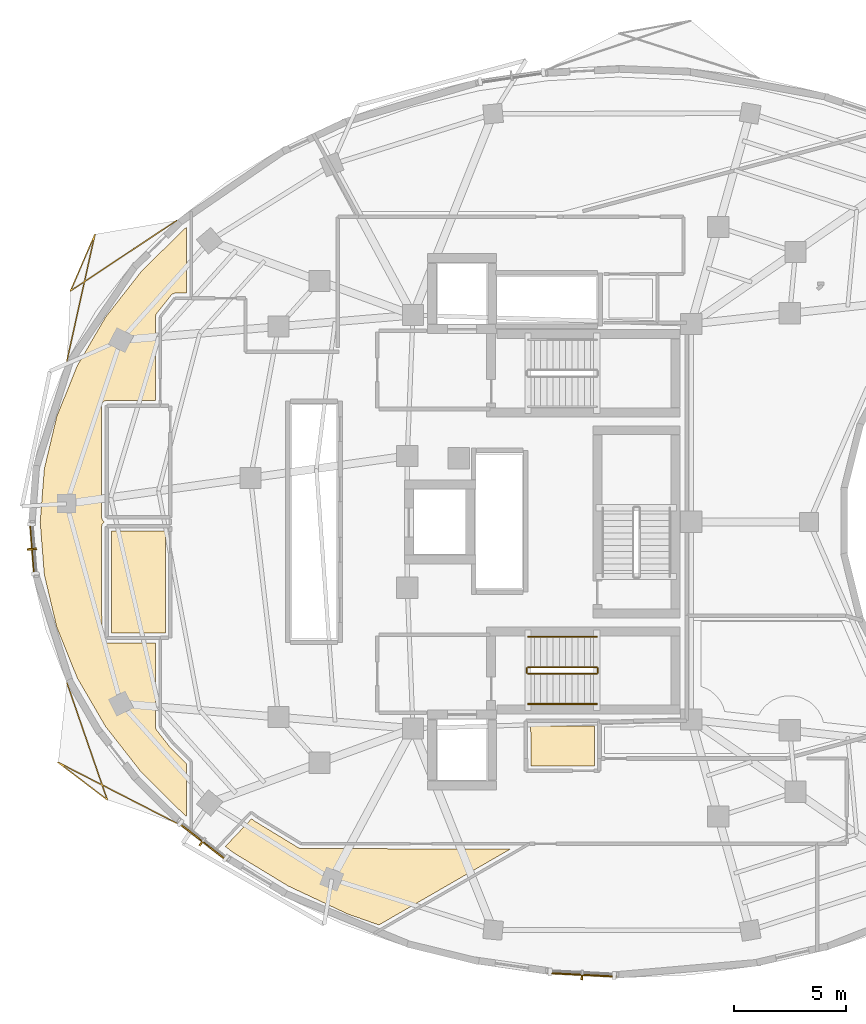
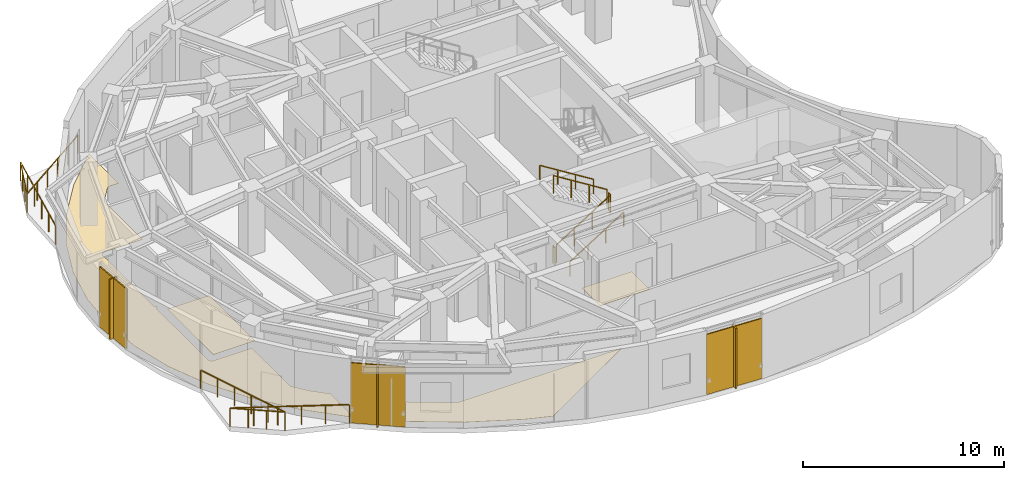
# One storey, part 11 of 13: 8 railings, 6 shading devices, 4 coverings.
"""IFC4 building model written with IfcOpenShell, lengths in metres."""

from ifc_helpers import new_model, si_unit, direction, frame, origin, origin_2d, place, context, subcontext, project, spatial, polyline, rectangle, outline, extrude, material, layer, layer_set, type_object, element, save


model = new_model("IFC4")

# Units and contexts
model_context = context("Model", 3, precision=1e-05, world=origin(), true_north=direction((0.0, 1.0)))
body_context = subcontext(model_context, "Body", "Model", "MODEL_VIEW")
ifc_project = project(units=[si_unit("LENGTHUNIT", "METRE"), si_unit("AREAUNIT", "SQUARE_METRE"), si_unit("VOLUMEUNIT", "CUBIC_METRE"), si_unit("PLANEANGLEUNIT", "RADIAN"), si_unit("MASSUNIT", "GRAM", prefix="KILO")], contexts=[model_context])

# Site, building, storey
site_placement = place(None, origin())
site = spatial("IfcSite", under=ifc_project, at=site_placement, CompositionType="ELEMENT")
building_placement = place(site_placement, origin())
building = spatial("IfcBuilding", under=site, at=building_placement, Name="Korentha Bioscience Tower", CompositionType="ELEMENT")
storey_placement = place(building_placement, frame((0.0, 0.0, 268.800048828125)))
storey = spatial("IfcBuildingStorey", under=building, at=storey_placement, Name="L62", CompositionType="ELEMENT", Elevation=268.800048828125)

# Railings
ifc_material_1 = material(Name="Stainless Steel 304", Category="steel")
railing_type_1 = type_object("IfcRailingType", Name="Brushed Stainless Stair Handrail 900", PredefinedType="HANDRAIL", material=ifc_material_1)
railing_1_placement = place(storey_placement, frame((30.25, 18.85009765625, 0.175048828125)))
element("IfcRailing", 1, at=railing_1_placement, inside=storey, type_object=railing_type_1, Name="L62 ST-2 stair handrail 1", PredefinedType="HANDRAIL", context=body_context, shape_type="SweptSolid", body=[
    extrude(rectangle(XDim=0.048095703125, YDim=0.048095703125, at=origin_2d()), frame((0.0, 0.0, 0.8759765625), z_axis=(0.848028513186, 0.0, 0.529950602248), x_axis=(0.0, 1.0, 0.0)), (0.0, 0.0, 1.0), 3.632080078125),
    extrude(rectangle(XDim=0.0419921875, YDim=0.0419921875, at=origin_2d()), origin(), (0.0, 0.0, 1.0), 0.851806640625),
    extrude(rectangle(XDim=0.0419921875, YDim=0.0419921875, at=origin_2d()), frame((1.026611328125, 0.0, 0.6416015625)), (0.0, 0.0, 1.0), 0.851806640625),
    extrude(rectangle(XDim=0.0419921875, YDim=0.0419921875, at=origin_2d()), frame((2.053466796875, 0.0, 1.283203125)), (0.0, 0.0, 1.0), 0.851806640625),
    extrude(rectangle(XDim=0.0419921875, YDim=0.0419921875, at=origin_2d()), frame((3.080078125, 0.0, 1.9248046875)), (0.0, 0.0, 1.0), 0.851806640625),
])
railing_2_placement = place(storey_placement, frame((33.330078125, 21.85009765625, 2.27490234375)))
element("IfcRailing", 2, at=railing_2_placement, inside=storey, type_object=railing_type_1, Name="L62 ST-2 stair handrail 2", PredefinedType="HANDRAIL", context=body_context, shape_type="SweptSolid", body=[
    extrude(rectangle(XDim=0.048095703125, YDim=0.048095703125, at=origin_2d()), frame((0.0, 0.0, 0.8759765625), z_axis=(-0.847998304005, 0.0, 0.529998940003), x_axis=(0.0, -1.0, 0.0)), (0.0, 0.0, 1.0), 3.632080078125),
    extrude(rectangle(XDim=0.0419921875, YDim=0.0419921875, at=origin_2d()), origin(), (0.0, 0.0, 1.0), 0.851806640625),
    extrude(rectangle(XDim=0.0419921875, YDim=0.0419921875, at=origin_2d()), frame((-1.026611328125, 0.0, 0.6416015625)), (0.0, 0.0, 1.0), 0.851806640625),
    extrude(rectangle(XDim=0.0419921875, YDim=0.0419921875, at=origin_2d()), frame((-2.053466796875, 0.0, 1.283447265625)), (0.0, 0.0, 1.0), 0.851806640625),
    extrude(rectangle(XDim=0.0419921875, YDim=0.0419921875, at=origin_2d()), frame((-3.080078125, 0.0, 1.925048828125)), (0.0, 0.0, 1.0), 0.851806640625),
])
ifc_material_2 = material(Name="Laminated Tempered Safety Glass", Category="glass")
railing_type_2 = type_object("IfcRailingType", Name="Laminated Glass Balcony Guardrail 1150", PredefinedType="BALUSTRADE", material=ifc_material_2)
railing_3_placement = place(storey_placement, frame((14.52392578125, 40.482177734375, 0.0)))
element("IfcRailing", 3, at=railing_3_placement, inside=storey, type_object=railing_type_2, Name="L62 Balcony Guardrail 02", PredefinedType="BALUSTRADE", context=body_context, shape_type="SweptSolid", body=[
    extrude(rectangle(XDim=0.048095703125, YDim=0.048095703125, at=origin_2d()), frame((0.0, 0.0, 1.1259765625), z_axis=(-0.833512004837, -0.552501346417, 0.0), x_axis=(0.552501346417, -0.833512004837, 0.0)), (0.0, 0.0, 1.0), 5.693115234375),
    extrude(rectangle(XDim=0.048095703125, YDim=0.048095703125, at=origin_2d()), frame((-4.745361328125, -3.1455078125, 1.1259765625), z_axis=(0.395734132194, 0.918365121625, 0.0), x_axis=(-0.918365121625, 0.395734132194, 0.0)), (0.0, 0.0, 1.0), 2.759033203125),
    extrude(rectangle(XDim=0.048095703125, YDim=0.048095703125, at=origin_2d()), frame((-3.653564453125, -0.61181640625, 1.1259765625), z_axis=(-0.215883424558, -0.976419145143, 0.0), x_axis=(0.976419145143, -0.215883424558, 0.0)), (0.0, 0.0, 1.0), 5.802490234375),
    extrude(rectangle(XDim=0.0419921875, YDim=0.0419921875, at=origin_2d()), origin(), (0.0, 0.0, 1.0), 1.101806640625),
    extrude(rectangle(XDim=0.0419921875, YDim=0.0419921875, at=origin_2d()), frame((-0.948974609375, -0.629150390625, 0.0)), (0.0, 0.0, 1.0), 1.101806640625),
    extrude(rectangle(XDim=0.0419921875, YDim=0.0419921875, at=origin_2d()), frame((-1.898193359375, -1.25830078125, 0.0)), (0.0, 0.0, 1.0), 1.101806640625),
    extrude(rectangle(XDim=0.0419921875, YDim=0.0419921875, at=origin_2d()), frame((-2.84716796875, -1.88720703125, 0.0)), (0.0, 0.0, 1.0), 1.101806640625),
    extrude(rectangle(XDim=0.0419921875, YDim=0.0419921875, at=origin_2d()), frame((-3.79638671875, -2.516357421875, 0.0)), (0.0, 0.0, 1.0), 1.101806640625),
    extrude(rectangle(XDim=0.0419921875, YDim=0.0419921875, at=origin_2d()), frame((-4.745361328125, -3.1455078125, 0.0)), (0.0, 0.0, 1.0), 1.101806640625),
    extrude(rectangle(XDim=0.0419921875, YDim=0.0419921875, at=origin_2d()), frame((-4.38134765625, -2.301025390625, 0.0)), (0.0, 0.0, 1.0), 1.101806640625),
    extrude(rectangle(XDim=0.0419921875, YDim=0.0419921875, at=origin_2d()), frame((-4.017578125, -1.456298828125, 0.0)), (0.0, 0.0, 1.0), 1.101806640625),
    extrude(rectangle(XDim=0.0419921875, YDim=0.0419921875, at=origin_2d()), frame((-3.653564453125, -0.61181640625, 0.0)), (0.0, 0.0, 1.0), 1.101806640625),
    extrude(rectangle(XDim=0.0419921875, YDim=0.0419921875, at=origin_2d()), frame((-3.904052734375, -1.744873046875, 0.0)), (0.0, 0.0, 1.0), 1.101806640625),
    extrude(rectangle(XDim=0.0419921875, YDim=0.0419921875, at=origin_2d()), frame((-4.154541015625, -2.878173828125, 0.0)), (0.0, 0.0, 1.0), 1.101806640625),
    extrude(rectangle(XDim=0.0419921875, YDim=0.0419921875, at=origin_2d()), frame((-4.4052734375, -4.01123046875, 0.0)), (0.0, 0.0, 1.0), 1.101806640625),
    extrude(rectangle(XDim=0.0419921875, YDim=0.0419921875, at=origin_2d()), frame((-4.65576171875, -5.14453125, 0.0)), (0.0, 0.0, 1.0), 1.101806640625),
    extrude(rectangle(XDim=0.0419921875, YDim=0.0419921875, at=origin_2d()), frame((-4.90625, -6.277587890625, 0.0)), (0.0, 0.0, 1.0), 1.101806640625),
])
railing_4_placement = place(storey_placement, frame((9.61767578125, 19.79541015625, 0.0)))
element("IfcRailing", 4, at=railing_4_placement, inside=storey, type_object=railing_type_2, Name="L62 Balcony Guardrail 03", PredefinedType="BALUSTRADE", context=body_context, shape_type="SweptSolid", body=[
    extrude(rectangle(XDim=0.048095703125, YDim=0.048095703125, at=origin_2d()), frame((0.0, 0.0, 1.1259765625), z_axis=(0.325854789781, -0.945419830539, 0.0), x_axis=(0.945419830539, 0.325854789781, 0.0)), (0.0, 0.0, 1.0), 5.536865234375),
    extrude(rectangle(XDim=0.048095703125, YDim=0.048095703125, at=origin_2d()), frame((1.80419921875, -5.234619140625, 1.1259765625), z_axis=(-0.79553937013, 0.605901898474, 0.0), x_axis=(-0.605901898474, -0.79553937013, 0.0)), (0.0, 0.0, 1.0), 2.759033203125),
    extrude(rectangle(XDim=0.048095703125, YDim=0.048095703125, at=origin_2d()), frame((-0.390625, -3.56298828125, 1.1259765625), z_axis=(0.889936580333, -0.456084293728, 0.0), x_axis=(0.456084293728, 0.889936580333, 0.0)), (0.0, 0.0, 1.0), 5.951904296875),
    extrude(rectangle(XDim=0.0419921875, YDim=0.0419921875, at=origin_2d()), origin(), (0.0, 0.0, 1.0), 1.101806640625),
    extrude(rectangle(XDim=0.0419921875, YDim=0.0419921875, at=origin_2d()), frame((0.36083984375, -1.046875, 0.0)), (0.0, 0.0, 1.0), 1.101806640625),
    extrude(rectangle(XDim=0.0419921875, YDim=0.0419921875, at=origin_2d()), frame((0.7216796875, -2.09375, 0.0)), (0.0, 0.0, 1.0), 1.101806640625),
    extrude(rectangle(XDim=0.0419921875, YDim=0.0419921875, at=origin_2d()), frame((1.08251953125, -3.140869140625, 0.0)), (0.0, 0.0, 1.0), 1.101806640625),
    extrude(rectangle(XDim=0.0419921875, YDim=0.0419921875, at=origin_2d()), frame((1.443359375, -4.187744140625, 0.0)), (0.0, 0.0, 1.0), 1.101806640625),
    extrude(rectangle(XDim=0.0419921875, YDim=0.0419921875, at=origin_2d()), frame((1.80419921875, -5.234619140625, 0.0)), (0.0, 0.0, 1.0), 1.101806640625),
    extrude(rectangle(XDim=0.0419921875, YDim=0.0419921875, at=origin_2d()), frame((1.072509765625, -4.677490234375, 0.0)), (0.0, 0.0, 1.0), 1.101806640625),
    extrude(rectangle(XDim=0.0419921875, YDim=0.0419921875, at=origin_2d()), frame((0.341064453125, -4.1201171875, 0.0)), (0.0, 0.0, 1.0), 1.101806640625),
    extrude(rectangle(XDim=0.0419921875, YDim=0.0419921875, at=origin_2d()), frame((-0.390625, -3.56298828125, 0.0)), (0.0, 0.0, 1.0), 1.101806640625),
    extrude(rectangle(XDim=0.0419921875, YDim=0.0419921875, at=origin_2d()), frame((0.668701171875, -4.10595703125, 0.0)), (0.0, 0.0, 1.0), 1.101806640625),
    extrude(rectangle(XDim=0.0419921875, YDim=0.0419921875, at=origin_2d()), frame((1.72802734375, -4.64892578125, 0.0)), (0.0, 0.0, 1.0), 1.101806640625),
    extrude(rectangle(XDim=0.0419921875, YDim=0.0419921875, at=origin_2d()), frame((2.78759765625, -5.191650390625, 0.0)), (0.0, 0.0, 1.0), 1.101806640625),
    extrude(rectangle(XDim=0.0419921875, YDim=0.0419921875, at=origin_2d()), frame((3.846923828125, -5.734619140625, 0.0)), (0.0, 0.0, 1.0), 1.101806640625),
    extrude(rectangle(XDim=0.0419921875, YDim=0.0419921875, at=origin_2d()), frame((4.90625, -6.277587890625, 0.0)), (0.0, 0.0, 1.0), 1.101806640625),
])
ifc_material_3 = material(Name="Painted Steel S275", Category="steel")
railing_type_3 = type_object("IfcRailingType", Name="Painted Steel Stair Well Guardrail 1100", PredefinedType="GUARDRAIL", material=ifc_material_3)
railing_5_placement = place(storey_placement, frame((30.25, 20.199951171875, 0.175048828125)))
element("IfcRailing", 5, at=railing_5_placement, inside=storey, type_object=railing_type_3, Name="L62 ST-2 stair guard 1", PredefinedType="GUARDRAIL", context=body_context, shape_type="SweptSolid", body=[
    extrude(rectangle(XDim=0.048095703125, YDim=0.048095703125, at=origin_2d()), frame((0.0, 0.0, 1.076171875), z_axis=(0.848028513186, 0.0, 0.529950602248), x_axis=(0.0, 1.0, 0.0)), (0.0, 0.0, 1.0), 3.632080078125),
    extrude(rectangle(XDim=0.0419921875, YDim=0.0419921875, at=origin_2d()), origin(), (0.0, 0.0, 1.0), 1.052001953125),
    extrude(rectangle(XDim=0.0419921875, YDim=0.0419921875, at=origin_2d()), frame((1.026611328125, 0.0, 0.6416015625)), (0.0, 0.0, 1.0), 1.052001953125),
    extrude(rectangle(XDim=0.0419921875, YDim=0.0419921875, at=origin_2d()), frame((2.053466796875, 0.0, 1.283203125)), (0.0, 0.0, 1.0), 1.052001953125),
    extrude(rectangle(XDim=0.0419921875, YDim=0.0419921875, at=origin_2d()), frame((3.080078125, 0.0, 1.9248046875)), (0.0, 0.0, 1.0), 1.052001953125),
])
railing_6_placement = place(storey_placement, frame((33.3798828125, 20.25, 2.099853515625)))
element("IfcRailing", 6, at=railing_6_placement, inside=storey, type_object=railing_type_3, Name="L62 ST-2 stair guard 2", PredefinedType="GUARDRAIL", context=body_context, shape_type="SweptSolid", body=[
    extrude(rectangle(XDim=0.048095703125, YDim=0.048095703125, at=origin_2d()), frame((0.0, 0.0, 1.076171875), z_axis=(0.0, 1.0, 0.0), x_axis=(-1.0, 0.0, 0.0)), (0.0, 0.0, 1.0), 0.199951171875),
    extrude(rectangle(XDim=0.0419921875, YDim=0.0419921875, at=origin_2d()), origin(), (0.0, 0.0, 1.0), 1.052001953125),
    extrude(rectangle(XDim=0.0419921875, YDim=0.0419921875, at=origin_2d()), frame((0.0, 0.199951171875, 0.0)), (0.0, 0.0, 1.0), 1.052001953125),
])
railing_7_placement = place(storey_placement, frame((33.330078125, 20.5, 2.27490234375)))
element("IfcRailing", 7, at=railing_7_placement, inside=storey, type_object=railing_type_3, Name="L62 ST-2 stair guard 3", PredefinedType="GUARDRAIL", context=body_context, shape_type="SweptSolid", body=[
    extrude(rectangle(XDim=0.048095703125, YDim=0.048095703125, at=origin_2d()), frame((0.0, 0.0, 1.076171875), z_axis=(-0.847998304005, 0.0, 0.529998940003), x_axis=(0.0, -1.0, 0.0)), (0.0, 0.0, 1.0), 3.632080078125),
    extrude(rectangle(XDim=0.0419921875, YDim=0.0419921875, at=origin_2d()), origin(), (0.0, 0.0, 1.0), 1.052001953125),
    extrude(rectangle(XDim=0.0419921875, YDim=0.0419921875, at=origin_2d()), frame((-1.026611328125, 0.0, 0.6416015625)), (0.0, 0.0, 1.0), 1.052001953125),
    extrude(rectangle(XDim=0.0419921875, YDim=0.0419921875, at=origin_2d()), frame((-2.053466796875, 0.0, 1.283447265625)), (0.0, 0.0, 1.0), 1.052001953125),
    extrude(rectangle(XDim=0.0419921875, YDim=0.0419921875, at=origin_2d()), frame((-3.080078125, 0.0, 1.925048828125)), (0.0, 0.0, 1.0), 1.052001953125),
])
railing_8_placement = place(storey_placement, frame((30.199951171875, 20.25, 0.0)))
element("IfcRailing", 8, at=railing_8_placement, inside=storey, type_object=railing_type_3, Name="L62 ST-2 stair guard 4", PredefinedType="GUARDRAIL", context=body_context, shape_type="SweptSolid", body=[
    extrude(rectangle(XDim=0.048095703125, YDim=0.048095703125, at=origin_2d()), frame((0.0, 0.0, 1.076171875), z_axis=(0.0, 1.0, 0.0), x_axis=(-1.0, 0.0, 0.0)), (0.0, 0.0, 1.0), 0.199951171875),
    extrude(rectangle(XDim=0.0419921875, YDim=0.0419921875, at=origin_2d()), origin(), (0.0, 0.0, 1.0), 1.052001953125),
    extrude(rectangle(XDim=0.0419921875, YDim=0.0419921875, at=origin_2d()), frame((0.0, 0.199951171875, 0.0)), (0.0, 0.0, 1.0), 1.052001953125),
])

# Shading devices
ifc_material_4 = material(Name="Perforated Stone-Ceramic Composite", Category="masonry")
ifc_layer_1 = layer(ifc_material_4, 0.06494140625, Name="Perforated Stone-Ceramic Composite")
ifc_layer_set_1 = layer_set([ifc_layer_1], Name="Perforated Stone-Ceramic Composite (CS-01)")
shading_device_type_1 = type_object("IfcShadingDeviceType", Name="Perforated Stone-Ceramic Solar Screen Panel 65", PredefinedType="USERDEFINED", material=ifc_layer_set_1)
shading_device_1_placement = place(storey_placement, frame((8.064697265625, 25.780517578125, 0.0), z_axis=(0.0, 0.0, 1.0), x_axis=(0.078035250492, -0.996950600421, 0.0)))
element("IfcShadingDevice", 9, at=shading_device_1_placement, inside=storey, type_object=shading_device_type_1, Name="CW-L62-19 Perforated Stone-Ceramic Solar Screen", ObjectType="SCREEN", PredefinedType="USERDEFINED", context=body_context, shape_type="SweptSolid", body=[
    extrude(rectangle(XDim=2.35595703125, YDim=0.06494140625, at=origin_2d()), origin(), (0.0, 0.0, 1.0), 3.64990234375),
])
shading_device_2_placement = place(storey_placement, frame((15.684326171875, 12.694580078125, 0.0), z_axis=(0.0, 0.0, 1.0), x_axis=(0.790487520139, -0.612478146961, 0.0)))
element("IfcShadingDevice", 10, at=shading_device_2_placement, inside=storey, type_object=shading_device_type_1, Name="CW-L62-25 Perforated Stone-Ceramic Solar Screen", ObjectType="SCREEN", PredefinedType="USERDEFINED", context=body_context, shape_type="SweptSolid", body=[
    extrude(rectangle(XDim=2.742919921875, YDim=0.06494140625, at=origin_2d()), origin(), (0.0, 0.0, 1.0), 3.64990234375),
])
shading_device_3_placement = place(storey_placement, frame((32.66748046875, 6.729736328125, 0.0), z_axis=(0.0, 0.0, 1.0), x_axis=(0.998636113937, -0.052210266622, 0.0)))
element("IfcShadingDevice", 11, at=shading_device_3_placement, inside=storey, type_object=shading_device_type_1, Name="CW-L62-31 Perforated Stone-Ceramic Solar Screen", ObjectType="SCREEN", PredefinedType="USERDEFINED", context=body_context, shape_type="SweptSolid", body=[
    extrude(rectangle(XDim=3.087646484375, YDim=0.06494140625, at=origin_2d()), origin(), (0.0, 0.0, 1.0), 3.64990234375),
])

# Coverings
ifc_material_5 = material(Name="Chemical-Resistant Epoxy Resin", Category="polymer")
ifc_layer_2 = layer(ifc_material_5, 0.011962890625, Name="Chemical-Resistant Epoxy Resin")
ifc_layer_set_2 = layer_set([ifc_layer_2], Name="Chemical-Resistant Epoxy Resin (FL-EPX)")
covering_type = type_object("IfcCoveringType", Name="Seamless Epoxy Laboratory Flooring 12", PredefinedType="FLOORING", material=ifc_layer_set_2)
covering_1_placement = place(storey_placement, origin())
element("IfcCovering", 12, at=covering_1_placement, inside=storey, type_object=covering_type, Name="L62 Core Instrumentation and Gas Store Floor Finish", PredefinedType="FLOORING", context=body_context, shape_type="SweptSolid", body=[
    extrude(outline(polyline([(33.22998046875, 17.8701171875), (33.219970703125, 16.080078125), (30.3798828125, 16.080078125), (30.371337890625, 17.8701171875), (33.22998046875, 17.8701171875)])), origin(), (0.0, 0.0, 1.0), 0.011962890625),
])
covering_2_placement = place(storey_placement, origin())
element("IfcCovering", 13, at=covering_2_placement, inside=storey, type_object=covering_type, Name="L62 Reclaimed Bank-1 Cold Freezer Alcove Floor Finish", PredefinedType="FLOORING", context=body_context, shape_type="SweptSolid", body=[
    extrude(outline(polyline([(14.02001953125, 22.030029296875), (11.6201171875, 22.02099609375), (11.6201171875, 26.580078125), (14.02001953125, 26.580078125), (14.02001953125, 22.030029296875)])), origin(), (0.0, 0.0, 1.0), 0.011962890625),
])
covering_3_placement = place(storey_placement, origin())
element("IfcCovering", 14, at=covering_3_placement, inside=storey, type_object=covering_type, Name="L62 Research Colloquium Seminar Room 01 Floor Finish", PredefinedType="FLOORING", context=body_context, shape_type="SweptSolid", body=[
    extrude(outline(polyline([(18.015625, 13.608154296875), (19.99462890625, 12.403564453125), (20.083251953125, 12.3720703125), (29.4814453125, 12.3701171875), (23.57666015625, 8.9609375), (22.189697265625, 9.447998046875), (19.515625, 10.705078125), (17.060791015625, 12.197509765625), (16.70556640625, 12.47265625), (17.88037109375, 13.712890625), (18.015625, 13.608154296875)])), origin(), (0.0, 0.0, 1.0), 0.011962890625),
])
covering_4_placement = place(storey_placement, origin())
element("IfcCovering", 15, at=covering_4_placement, inside=storey, type_object=covering_type, Name="L62 Biostatistics Research Office 07 Floor Finish", PredefinedType="FLOORING", context=body_context, shape_type="SweptSolid", body=[
    extrude(outline(polyline([(8.606201171875, 29.369140625), (9.160400390625, 31.70654296875), (10.076904296875, 33.9794921875), (11.34423828125, 36.15673828125), (12.946044921875, 38.206298828125), (14.860595703125, 40.097900390625), (14.96435546875, 40.17822265625), (14.96435546875, 37.22998046875), (14.440673828125, 37.229736328125), (14.31298828125, 37.1826171875), (13.618896484375, 36.306396484375), (13.572509765625, 36.197998046875), (13.570068359375, 32.429931640625), (11.38818359375, 32.4296875), (11.302001953125, 32.408203125), (11.22998046875, 32.354736328125), (11.18359375, 32.27783203125), (11.169921875, 32.199951171875), (11.169921875, 27.199951171875), (11.202392578125, 27.082275390625), (11.286865234375, 27.0), (11.202392578125, 26.917724609375), (11.169921875, 26.800048828125), (11.1767578125, 21.74462890625), (11.245849609375, 21.62939453125), (11.302001953125, 21.591796875), (11.38818359375, 21.5703125), (13.570068359375, 21.570068359375), (13.572509765625, 17.802001953125), (13.612548828125, 17.701904296875), (14.218505859375, 16.927001953125), (14.96435546875, 16.189453125), (14.96435546875, 13.82177734375), (14.860595703125, 13.902099609375), (12.9462890625, 15.79345703125), (11.344482421875, 17.8427734375), (10.076904296875, 20.02001953125), (9.160400390625, 22.293212890625), (8.606201171875, 24.630615234375), (8.4208984375, 26.995361328125), (8.606201171875, 29.369140625)])), origin(), (0.0, 0.0, 1.0), 0.011962890625),
])

# Shading devices
ifc_material_6 = material(Name="Honed Travertine Limestone", Category="masonry")
ifc_layer_3 = layer(ifc_material_6, 0.080078125, Name="Honed Travertine Limestone")
ifc_layer_set_3 = layer_set([ifc_layer_3], Name="Honed Travertine Limestone (CS-02)")
shading_device_type_2 = type_object("IfcShadingDeviceType", Name="Vertical Honed Limestone Sunshade Fin 80x420", PredefinedType="USERDEFINED", material=ifc_layer_set_3)
for number, where, z_axis, x_axis, name in (
    (16, (8.044677734375, 25.77880859375, 0.0), (0.0, 0.0, 1.0), (0.078035250492, -0.996950600421, 0.0), "CW-L62-19 Limestone Sunshade Fin"),
    (17, (15.672119140625, 12.6787109375, 0.0), (0.0, 0.0, 1.0), (0.790487520139, -0.612478146961, 0.0), "CW-L62-25 Limestone Sunshade Fin"),
    (18, (32.66650390625, 6.709716796875, 0.0), (0.0, 0.0, 1.0), (0.998636113937, -0.052210266622, 0.0), "CW-L62-31 Limestone Sunshade Fin"),
):
    element("IfcShadingDevice", number, at=place(storey_placement, frame(where, z_axis=z_axis, x_axis=x_axis)), inside=storey, type_object=shading_device_type_2, Name=name, ObjectType="SCREEN", PredefinedType="USERDEFINED", context=body_context, shape_type="SweptSolid", body=[
        extrude(rectangle(XDim=0.080078125, YDim=0.419921875, at=origin_2d()), origin(), (0.0, 0.0, 1.0), 3.64990234375),
    ])

save(model, "model.ifc")
